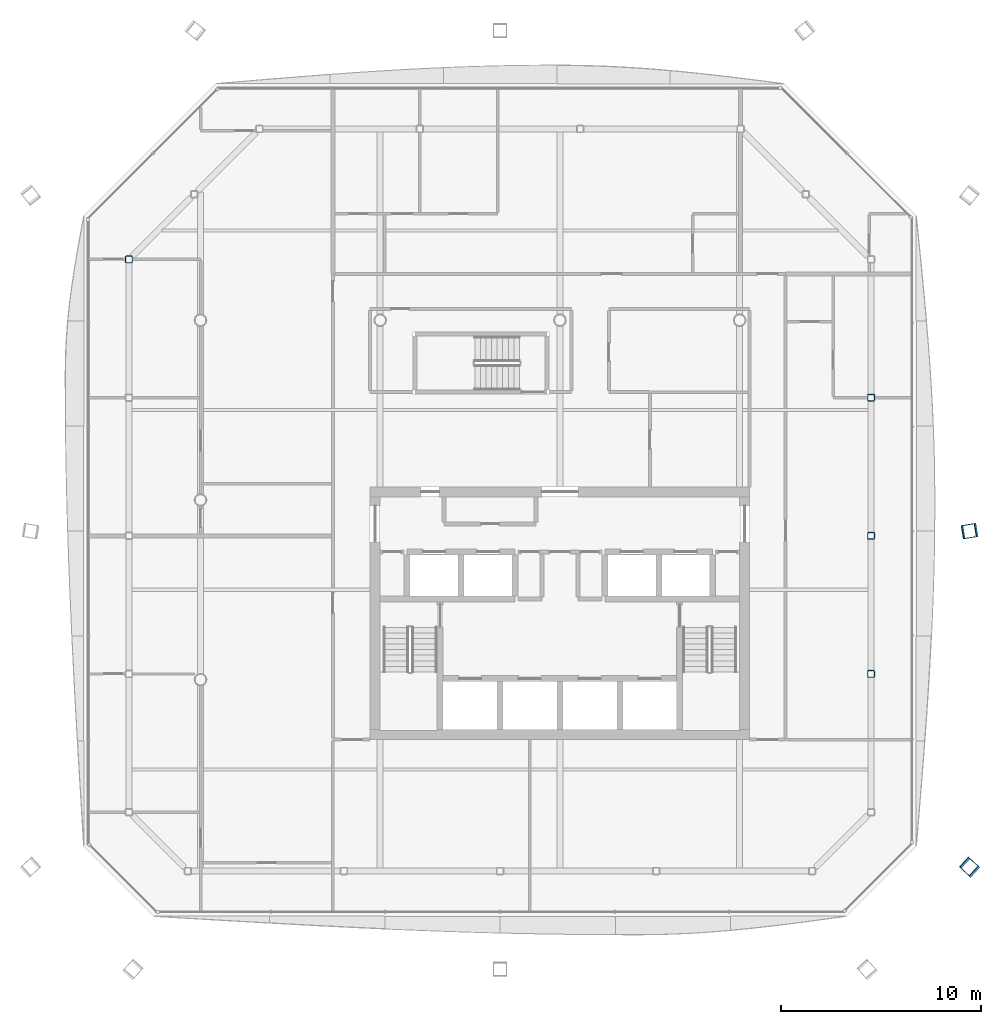
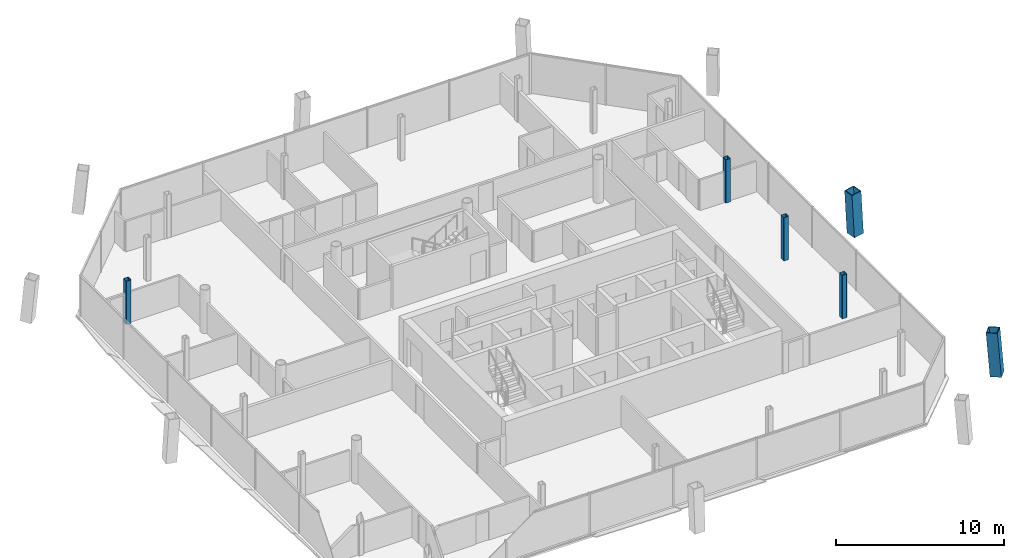
# One storey, part 2 of 20: 6 columns.
"""IFC4 building model written with IfcOpenShell, lengths in metres."""

from ifc_helpers import new_model, si_unit, direction, frame, origin, origin_2d, place, context, subcontext, project, spatial, hollow_rectangle, extrude, material, material_profile, profile_set, type_object, element, save


model = new_model("IFC4")

# Units and contexts
model_context = context("Model", 3, precision=1e-05, world=origin(), true_north=direction((0.0, 1.0)))
body_context = subcontext(model_context, "Body", "Model", "MODEL_VIEW")
ifc_project = project(units=[si_unit("LENGTHUNIT", "METRE"), si_unit("AREAUNIT", "SQUARE_METRE"), si_unit("VOLUMEUNIT", "CUBIC_METRE"), si_unit("PLANEANGLEUNIT", "RADIAN"), si_unit("MASSUNIT", "GRAM", prefix="KILO")], contexts=[model_context])

# Site, building, storey
site_placement = place(None, origin())
site = spatial("IfcSite", under=ifc_project, at=site_placement, CompositionType="ELEMENT")
building_placement = place(site_placement, origin())
building = spatial("IfcBuilding", under=site, at=building_placement, Name="Tskaro Facet Tower", CompositionType="ELEMENT")
storey_placement = place(building_placement, frame((0.0, 0.0, 184.800048828125)))
storey = spatial("IfcBuildingStorey", under=building, at=storey_placement, Name="L46", CompositionType="ELEMENT", Elevation=184.800048828125)

# Columns
ifc_material_1 = material(Name="Steel S460M", Category="steel")
ifc_material_profile_1 = material_profile(ifc_material_1, hollow_rectangle(XDim=0.699951171875, YDim=0.699951171875, WallThickness=0.044921875, at=origin_2d()), Name="BOX 700x700x45")
ifc_profile_set_1 = profile_set([ifc_material_profile_1], Name="Steel S460M")
column_type_1 = type_object("IfcColumnType", Name="BOX 700x700x45 mega column", PredefinedType="COLUMN", material=ifc_profile_set_1)
column_1_placement = place(storey_placement, frame((20.5458984375, -18.41796875, 0.0), z_axis=(-0.057874436932, 0.052851955756, 0.996923878901), x_axis=(-0.674339490337, -0.738421459448, 0.0)))
element("IfcColumn", 1, at=column_1_placement, inside=storey, type_object=column_type_1, Name="BOX 700x700x45 MC04/4", PredefinedType="COLUMN", context=body_context, shape_type="SweptSolid", body=[
    extrude(hollow_rectangle(XDim=0.699951171875, YDim=0.699951171875, WallThickness=0.044921875, at=origin_2d()), origin(), (0.0, 0.0, 1.0), 3.15966796875),
])
column_2_placement = place(storey_placement, frame((20.5458984375, -1.553955078125, 0.0), z_axis=(-0.057952813207, -0.009516950633, 0.998273959939), x_axis=(0.162048444398, -0.986782803695, 0.0)))
element("IfcColumn", 2, at=column_2_placement, inside=storey, type_object=column_type_1, Name="BOX 700x700x45 MC05/4", PredefinedType="COLUMN", context=body_context, shape_type="SweptSolid", body=[
    extrude(hollow_rectangle(XDim=0.699951171875, YDim=0.699951171875, WallThickness=0.044921875, at=origin_2d()), origin(), (0.0, 0.0, 1.0), 3.1552734375),
])
ifc_material_2 = material(Name="Steel S355J2H", Category="steel")
ifc_material_profile_2 = material_profile(ifc_material_2, hollow_rectangle(XDim=0.35009765625, YDim=0.35009765625, WallThickness=0.02001953125, InnerFilletRadius=0.030029296875, OuterFilletRadius=0.050048828125, at=origin_2d()), Name="SHS 350x350x20")
ifc_profile_set_2 = profile_set([ifc_material_profile_2], Name="Steel S355J2H")
column_type_2 = type_object("IfcColumnType", Name="SHS 350x350x20 ring column", PredefinedType="COLUMN", material=ifc_profile_set_2)
for number, where, z_axis, x_axis, name in (
    (3, (15.5830078125, -8.712890625, 0.0), (0.0, 0.0, 1.0), (1.0, 0.0, 0.0), "SHS 350x350x20 RE-2/4"),
    (4, (15.5830078125, -1.79296875, 0.0), (0.0, 0.0, 1.0), (1.0, 0.0, 0.0), "SHS 350x350x20 RE-3/4"),
    (5, (15.5830078125, 5.1259765625, 0.0), (0.0, 0.0, 1.0), (1.0, 0.0, 0.0), "SHS 350x350x20 RE-4/4"),
    (6, (-21.5830078125, 12.0458984375, 0.0), (0.0, 0.0, 1.0), (1.0, 0.0, 0.0), "SHS 350x350x20 RW-1/4"),
):
    element("IfcColumn", number, at=place(storey_placement, frame(where, z_axis=z_axis, x_axis=x_axis)), inside=storey, type_object=column_type_2, Name=name, PredefinedType="COLUMN", context=body_context, shape_type="SweptSolid", body=[
        extrude(hollow_rectangle(XDim=0.35009765625, YDim=0.35009765625, WallThickness=0.02001953125, InnerFilletRadius=0.030029296875, OuterFilletRadius=0.050048828125, at=origin_2d()), origin(), (0.0, 0.0, 1.0), 3.14990234375),
    ])

save(model, "model.ifc")
